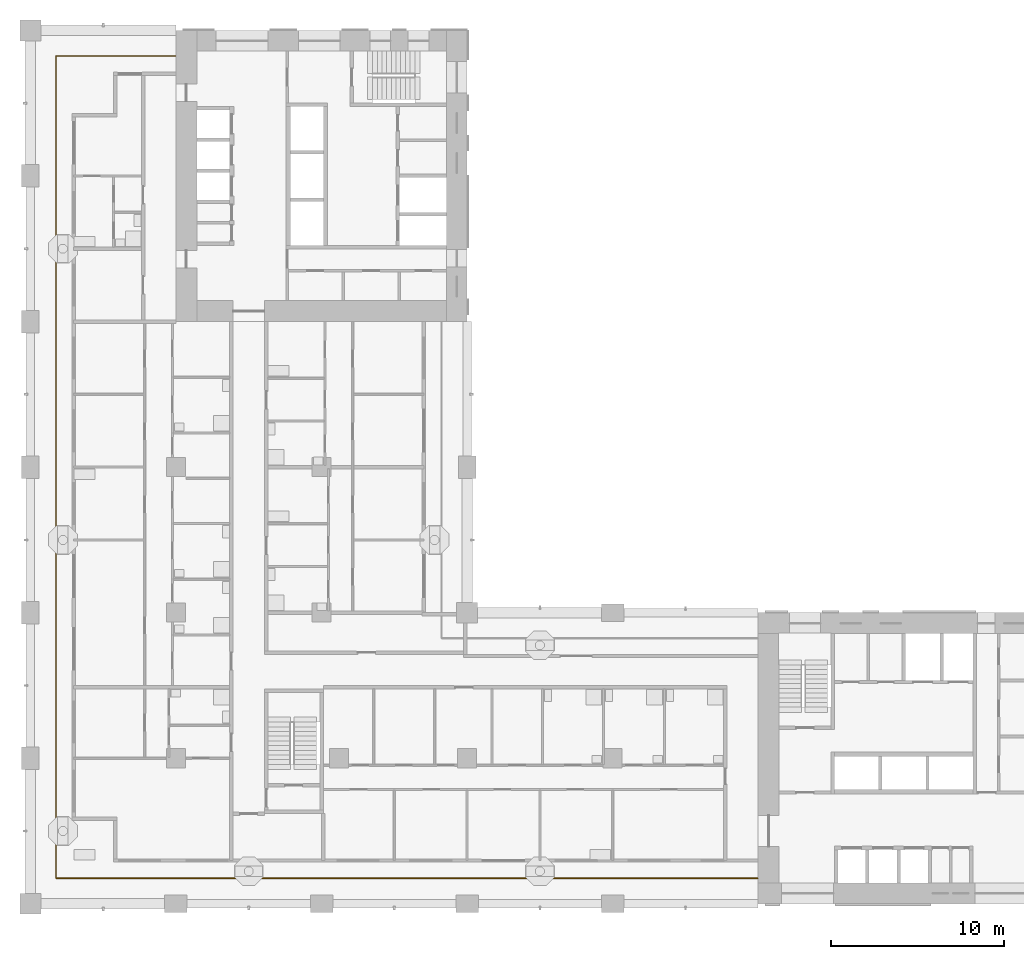
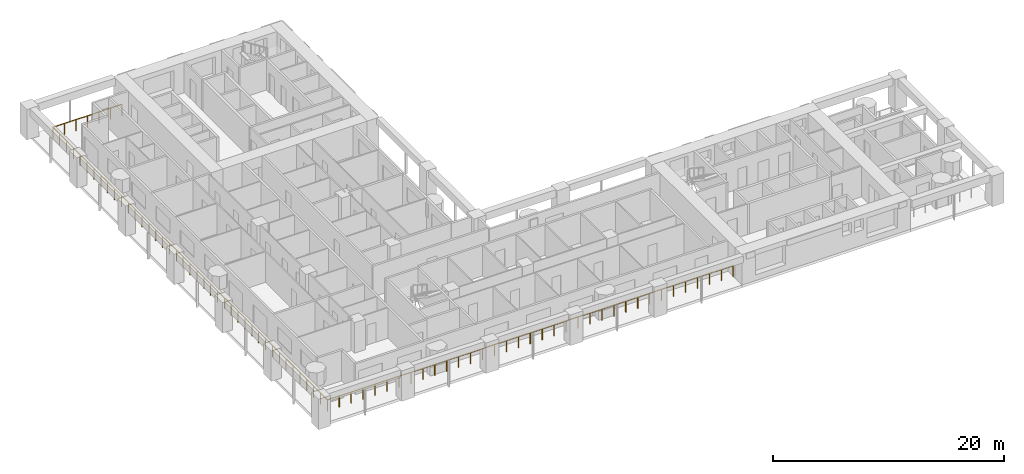
# One storey, part 11 of 19: 1 railing.
"""IFC4 building model written with IfcOpenShell, lengths in metres."""

from ifc_helpers import new_model, si_unit, direction, frame, origin, origin_2d, place, context, subcontext, project, spatial, circle, extrude, material, type_object, element, save


model = new_model("IFC4")

# Units and contexts
model_context = context("Model", 3, precision=1e-05, world=origin(), true_north=direction((0.0, 1.0)))
body_context = subcontext(model_context, "Body", "Model", "MODEL_VIEW")
ifc_project = project(units=[si_unit("LENGTHUNIT", "METRE"), si_unit("AREAUNIT", "SQUARE_METRE"), si_unit("VOLUMEUNIT", "CUBIC_METRE"), si_unit("PLANEANGLEUNIT", "RADIAN"), si_unit("MASSUNIT", "GRAM", prefix="KILO")], contexts=[model_context])

# Site, building, storey
site_placement = place(None, origin())
site = spatial("IfcSite", under=ifc_project, at=site_placement, CompositionType="ELEMENT")
building_placement = place(site_placement, origin())
building = spatial("IfcBuilding", under=site, at=building_placement, Name="Vermilion Gate Residences", CompositionType="ELEMENT")
storey_placement = place(building_placement, frame((0.0, 0.0, 119.699951171875)))
storey = spatial("IfcBuildingStorey", under=building, at=storey_placement, Name="L30", CompositionType="ELEMENT", Elevation=119.699951171875)

# Railing
ifc_material = material(Name="Stainless steel and toughened glass", Category="steel")
railing_type = type_object("IfcRailingType", Name="LOGGIA GUARD STEEL AND GLASS 1200", PredefinedType="GUARDRAIL", material=ifc_material)
railing_placement = place(storey_placement, frame((8.3779296875, 57.324951171875, 0.0)))
element("IfcRailing", 1, at=railing_placement, inside=storey, type_object=railing_type, Name="Loggia guard", PredefinedType="GUARDRAIL", context=body_context, shape_type="SweptSolid", body=[
    extrude(circle(Radius=0.030029296875, at=origin_2d()), frame((0.0, 0.0, 1.169921875), z_axis=(-1.0, 0.0, 0.0), x_axis=(0.0, -1.0, 0.0)), (0.0, 0.0, 1.0), 6.90283203125),
    extrude(circle(Radius=0.030029296875, at=origin_2d()), frame((-6.90283203125, 0.0, 1.169921875), z_axis=(0.0, -1.0, 0.0), x_axis=(1.0, 0.0, 0.0)), (0.0, 0.0, 1.0), 47.449951171875),
    extrude(circle(Radius=0.030029296875, at=origin_2d()), frame((-6.90283203125, -47.449951171875, 1.169921875), z_axis=(1.0, 0.0, 0.0), x_axis=(0.0, 1.0, 0.0)), (0.0, 0.0, 1.0), 40.5029296875),
    extrude(circle(Radius=0.02490234375, at=origin_2d()), origin(), (0.0, 0.0, 1.0), 1.139892578125),
    extrude(circle(Radius=0.02490234375, at=origin_2d()), frame((-1.150390625, 0.0, 0.0)), (0.0, 0.0, 1.0), 1.139892578125),
    extrude(circle(Radius=0.02490234375, at=origin_2d()), frame((-2.301025390625, 0.0, 0.0)), (0.0, 0.0, 1.0), 1.139892578125),
    extrude(circle(Radius=0.02490234375, at=origin_2d()), frame((-3.451416015625, 0.0, 0.0)), (0.0, 0.0, 1.0), 1.139892578125),
    extrude(circle(Radius=0.02490234375, at=origin_2d()), frame((-4.601806640625, 0.0, 0.0)), (0.0, 0.0, 1.0), 1.139892578125),
    extrude(circle(Radius=0.02490234375, at=origin_2d()), frame((-5.75244140625, 0.0, 0.0)), (0.0, 0.0, 1.0), 1.139892578125),
    extrude(circle(Radius=0.02490234375, at=origin_2d()), frame((-6.90283203125, 0.0, 0.0)), (0.0, 0.0, 1.0), 1.139892578125),
    extrude(circle(Radius=0.02490234375, at=origin_2d()), frame((-6.90283203125, -1.186279296875, 0.0)), (0.0, 0.0, 1.0), 1.139892578125),
    extrude(circle(Radius=0.02490234375, at=origin_2d()), frame((-6.90283203125, -2.37255859375, 0.0)), (0.0, 0.0, 1.0), 1.139892578125),
    extrude(circle(Radius=0.02490234375, at=origin_2d()), frame((-6.90283203125, -3.558837890625, 0.0)), (0.0, 0.0, 1.0), 1.139892578125),
    extrude(circle(Radius=0.02490234375, at=origin_2d()), frame((-6.90283203125, -4.7451171875, 0.0)), (0.0, 0.0, 1.0), 1.139892578125),
    extrude(circle(Radius=0.02490234375, at=origin_2d()), frame((-6.90283203125, -5.93115234375, 0.0)), (0.0, 0.0, 1.0), 1.139892578125),
    extrude(circle(Radius=0.02490234375, at=origin_2d()), frame((-6.90283203125, -7.117431640625, 0.0)), (0.0, 0.0, 1.0), 1.139892578125),
    extrude(circle(Radius=0.02490234375, at=origin_2d()), frame((-6.90283203125, -8.3037109375, 0.0)), (0.0, 0.0, 1.0), 1.139892578125),
    extrude(circle(Radius=0.02490234375, at=origin_2d()), frame((-6.90283203125, -9.489990234375, 0.0)), (0.0, 0.0, 1.0), 1.139892578125),
    extrude(circle(Radius=0.02490234375, at=origin_2d()), frame((-6.90283203125, -10.67626953125, 0.0)), (0.0, 0.0, 1.0), 1.139892578125),
    extrude(circle(Radius=0.02490234375, at=origin_2d()), frame((-6.90283203125, -11.862548828125, 0.0)), (0.0, 0.0, 1.0), 1.139892578125),
    extrude(circle(Radius=0.02490234375, at=origin_2d()), frame((-6.90283203125, -13.048828125, 0.0)), (0.0, 0.0, 1.0), 1.139892578125),
    extrude(circle(Radius=0.02490234375, at=origin_2d()), frame((-6.90283203125, -14.23486328125, 0.0)), (0.0, 0.0, 1.0), 1.139892578125),
    extrude(circle(Radius=0.02490234375, at=origin_2d()), frame((-6.90283203125, -15.421142578125, 0.0)), (0.0, 0.0, 1.0), 1.139892578125),
    extrude(circle(Radius=0.02490234375, at=origin_2d()), frame((-6.90283203125, -16.607421875, 0.0)), (0.0, 0.0, 1.0), 1.139892578125),
    extrude(circle(Radius=0.02490234375, at=origin_2d()), frame((-6.90283203125, -17.793701171875, 0.0)), (0.0, 0.0, 1.0), 1.139892578125),
    extrude(circle(Radius=0.02490234375, at=origin_2d()), frame((-6.90283203125, -18.97998046875, 0.0)), (0.0, 0.0, 1.0), 1.139892578125),
    extrude(circle(Radius=0.02490234375, at=origin_2d()), frame((-6.90283203125, -20.166259765625, 0.0)), (0.0, 0.0, 1.0), 1.139892578125),
    extrude(circle(Radius=0.02490234375, at=origin_2d()), frame((-6.90283203125, -21.3525390625, 0.0)), (0.0, 0.0, 1.0), 1.139892578125),
    extrude(circle(Radius=0.02490234375, at=origin_2d()), frame((-6.90283203125, -22.538818359375, 0.0)), (0.0, 0.0, 1.0), 1.139892578125),
    extrude(circle(Radius=0.02490234375, at=origin_2d()), frame((-6.90283203125, -23.72509765625, 0.0)), (0.0, 0.0, 1.0), 1.139892578125),
    extrude(circle(Radius=0.02490234375, at=origin_2d()), frame((-6.90283203125, -24.9111328125, 0.0)), (0.0, 0.0, 1.0), 1.139892578125),
    extrude(circle(Radius=0.02490234375, at=origin_2d()), frame((-6.90283203125, -26.097412109375, 0.0)), (0.0, 0.0, 1.0), 1.139892578125),
    extrude(circle(Radius=0.02490234375, at=origin_2d()), frame((-6.90283203125, -27.28369140625, 0.0)), (0.0, 0.0, 1.0), 1.139892578125),
    extrude(circle(Radius=0.02490234375, at=origin_2d()), frame((-6.90283203125, -28.469970703125, 0.0)), (0.0, 0.0, 1.0), 1.139892578125),
    extrude(circle(Radius=0.02490234375, at=origin_2d()), frame((-6.90283203125, -29.65625, 0.0)), (0.0, 0.0, 1.0), 1.139892578125),
    extrude(circle(Radius=0.02490234375, at=origin_2d()), frame((-6.90283203125, -30.842529296875, 0.0)), (0.0, 0.0, 1.0), 1.139892578125),
    extrude(circle(Radius=0.02490234375, at=origin_2d()), frame((-6.90283203125, -32.02880859375, 0.0)), (0.0, 0.0, 1.0), 1.139892578125),
    extrude(circle(Radius=0.02490234375, at=origin_2d()), frame((-6.90283203125, -33.21484375, 0.0)), (0.0, 0.0, 1.0), 1.139892578125),
    extrude(circle(Radius=0.02490234375, at=origin_2d()), frame((-6.90283203125, -34.401123046875, 0.0)), (0.0, 0.0, 1.0), 1.139892578125),
    extrude(circle(Radius=0.02490234375, at=origin_2d()), frame((-6.90283203125, -35.58740234375, 0.0)), (0.0, 0.0, 1.0), 1.139892578125),
    extrude(circle(Radius=0.02490234375, at=origin_2d()), frame((-6.90283203125, -36.773681640625, 0.0)), (0.0, 0.0, 1.0), 1.139892578125),
    extrude(circle(Radius=0.02490234375, at=origin_2d()), frame((-6.90283203125, -37.9599609375, 0.0)), (0.0, 0.0, 1.0), 1.139892578125),
    extrude(circle(Radius=0.02490234375, at=origin_2d()), frame((-6.90283203125, -39.146240234375, 0.0)), (0.0, 0.0, 1.0), 1.139892578125),
    extrude(circle(Radius=0.02490234375, at=origin_2d()), frame((-6.90283203125, -40.33251953125, 0.0)), (0.0, 0.0, 1.0), 1.139892578125),
    extrude(circle(Radius=0.02490234375, at=origin_2d()), frame((-6.90283203125, -41.518798828125, 0.0)), (0.0, 0.0, 1.0), 1.139892578125),
    extrude(circle(Radius=0.02490234375, at=origin_2d()), frame((-6.90283203125, -42.705078125, 0.0)), (0.0, 0.0, 1.0), 1.139892578125),
    extrude(circle(Radius=0.02490234375, at=origin_2d()), frame((-6.90283203125, -43.89111328125, 0.0)), (0.0, 0.0, 1.0), 1.139892578125),
    extrude(circle(Radius=0.02490234375, at=origin_2d()), frame((-6.90283203125, -45.077392578125, 0.0)), (0.0, 0.0, 1.0), 1.139892578125),
    extrude(circle(Radius=0.02490234375, at=origin_2d()), frame((-6.90283203125, -46.263671875, 0.0)), (0.0, 0.0, 1.0), 1.139892578125),
    extrude(circle(Radius=0.02490234375, at=origin_2d()), frame((-6.90283203125, -47.449951171875, 0.0)), (0.0, 0.0, 1.0), 1.139892578125),
    extrude(circle(Radius=0.02490234375, at=origin_2d()), frame((-5.711669921875, -47.449951171875, 0.0)), (0.0, 0.0, 1.0), 1.139892578125),
    extrude(circle(Radius=0.02490234375, at=origin_2d()), frame((-4.520263671875, -47.449951171875, 0.0)), (0.0, 0.0, 1.0), 1.139892578125),
    extrude(circle(Radius=0.02490234375, at=origin_2d()), frame((-3.3291015625, -47.449951171875, 0.0)), (0.0, 0.0, 1.0), 1.139892578125),
    extrude(circle(Radius=0.02490234375, at=origin_2d()), frame((-2.1376953125, -47.449951171875, 0.0)), (0.0, 0.0, 1.0), 1.139892578125),
    extrude(circle(Radius=0.02490234375, at=origin_2d()), frame((-0.946533203125, -47.449951171875, 0.0)), (0.0, 0.0, 1.0), 1.139892578125),
    extrude(circle(Radius=0.02490234375, at=origin_2d()), frame((0.24462890625, -47.449951171875, 0.0)), (0.0, 0.0, 1.0), 1.139892578125),
    extrude(circle(Radius=0.02490234375, at=origin_2d()), frame((1.43603515625, -47.449951171875, 0.0)), (0.0, 0.0, 1.0), 1.139892578125),
    extrude(circle(Radius=0.02490234375, at=origin_2d()), frame((2.627197265625, -47.449951171875, 0.0)), (0.0, 0.0, 1.0), 1.139892578125),
    extrude(circle(Radius=0.02490234375, at=origin_2d()), frame((3.818603515625, -47.449951171875, 0.0)), (0.0, 0.0, 1.0), 1.139892578125),
    extrude(circle(Radius=0.02490234375, at=origin_2d()), frame((5.009765625, -47.449951171875, 0.0)), (0.0, 0.0, 1.0), 1.139892578125),
    extrude(circle(Radius=0.02490234375, at=origin_2d()), frame((6.201171875, -47.449951171875, 0.0)), (0.0, 0.0, 1.0), 1.139892578125),
    extrude(circle(Radius=0.02490234375, at=origin_2d()), frame((7.392333984375, -47.449951171875, 0.0)), (0.0, 0.0, 1.0), 1.139892578125),
    extrude(circle(Radius=0.02490234375, at=origin_2d()), frame((8.58349609375, -47.449951171875, 0.0)), (0.0, 0.0, 1.0), 1.139892578125),
    extrude(circle(Radius=0.02490234375, at=origin_2d()), frame((9.77490234375, -47.449951171875, 0.0)), (0.0, 0.0, 1.0), 1.139892578125),
    extrude(circle(Radius=0.02490234375, at=origin_2d()), frame((10.966064453125, -47.449951171875, 0.0)), (0.0, 0.0, 1.0), 1.139892578125),
    extrude(circle(Radius=0.02490234375, at=origin_2d()), frame((12.157470703125, -47.449951171875, 0.0)), (0.0, 0.0, 1.0), 1.139892578125),
    extrude(circle(Radius=0.02490234375, at=origin_2d()), frame((13.3486328125, -47.449951171875, 0.0)), (0.0, 0.0, 1.0), 1.139892578125),
    extrude(circle(Radius=0.02490234375, at=origin_2d()), frame((14.539794921875, -47.449951171875, 0.0)), (0.0, 0.0, 1.0), 1.139892578125),
    extrude(circle(Radius=0.02490234375, at=origin_2d()), frame((15.731201171875, -47.449951171875, 0.0)), (0.0, 0.0, 1.0), 1.139892578125),
    extrude(circle(Radius=0.02490234375, at=origin_2d()), frame((16.92236328125, -47.449951171875, 0.0)), (0.0, 0.0, 1.0), 1.139892578125),
    extrude(circle(Radius=0.02490234375, at=origin_2d()), frame((18.11376953125, -47.449951171875, 0.0)), (0.0, 0.0, 1.0), 1.139892578125),
    extrude(circle(Radius=0.02490234375, at=origin_2d()), frame((19.304931640625, -47.449951171875, 0.0)), (0.0, 0.0, 1.0), 1.139892578125),
    extrude(circle(Radius=0.02490234375, at=origin_2d()), frame((20.49609375, -47.449951171875, 0.0)), (0.0, 0.0, 1.0), 1.139892578125),
    extrude(circle(Radius=0.02490234375, at=origin_2d()), frame((21.6875, -47.449951171875, 0.0)), (0.0, 0.0, 1.0), 1.139892578125),
    extrude(circle(Radius=0.02490234375, at=origin_2d()), frame((22.878662109375, -47.449951171875, 0.0)), (0.0, 0.0, 1.0), 1.139892578125),
    extrude(circle(Radius=0.02490234375, at=origin_2d()), frame((24.070068359375, -47.449951171875, 0.0)), (0.0, 0.0, 1.0), 1.139892578125),
    extrude(circle(Radius=0.02490234375, at=origin_2d()), frame((25.26123046875, -47.449951171875, 0.0)), (0.0, 0.0, 1.0), 1.139892578125),
    extrude(circle(Radius=0.02490234375, at=origin_2d()), frame((26.45263671875, -47.449951171875, 0.0)), (0.0, 0.0, 1.0), 1.139892578125),
    extrude(circle(Radius=0.02490234375, at=origin_2d()), frame((27.643798828125, -47.449951171875, 0.0)), (0.0, 0.0, 1.0), 1.139892578125),
    extrude(circle(Radius=0.02490234375, at=origin_2d()), frame((28.8349609375, -47.449951171875, 0.0)), (0.0, 0.0, 1.0), 1.139892578125),
    extrude(circle(Radius=0.02490234375, at=origin_2d()), frame((30.0263671875, -47.449951171875, 0.0)), (0.0, 0.0, 1.0), 1.139892578125),
    extrude(circle(Radius=0.02490234375, at=origin_2d()), frame((31.217529296875, -47.449951171875, 0.0)), (0.0, 0.0, 1.0), 1.139892578125),
    extrude(circle(Radius=0.02490234375, at=origin_2d()), frame((32.408935546875, -47.449951171875, 0.0)), (0.0, 0.0, 1.0), 1.139892578125),
    extrude(circle(Radius=0.02490234375, at=origin_2d()), frame((33.60009765625, -47.449951171875, 0.0)), (0.0, 0.0, 1.0), 1.139892578125),
])

save(model, "model.ifc")
